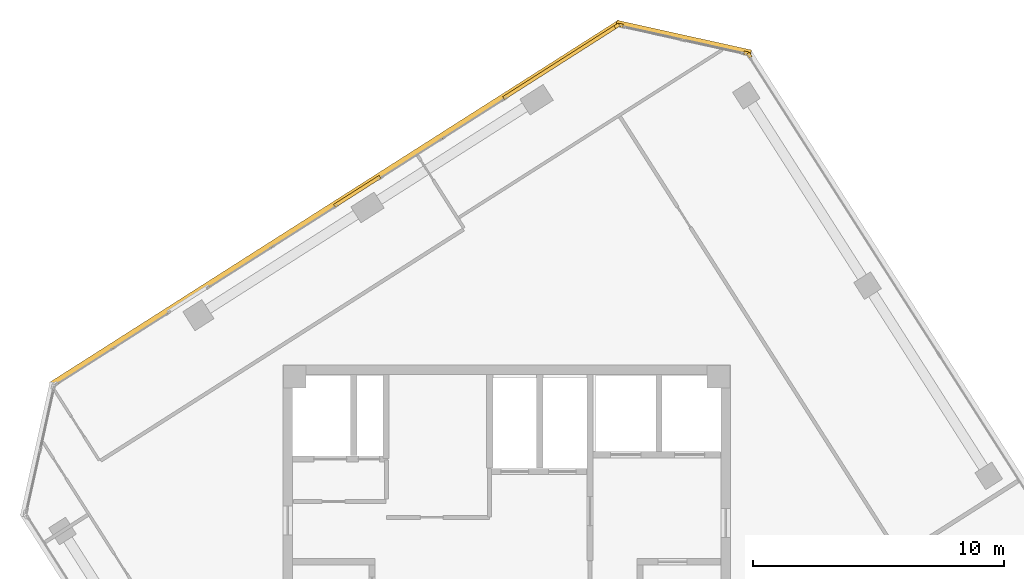
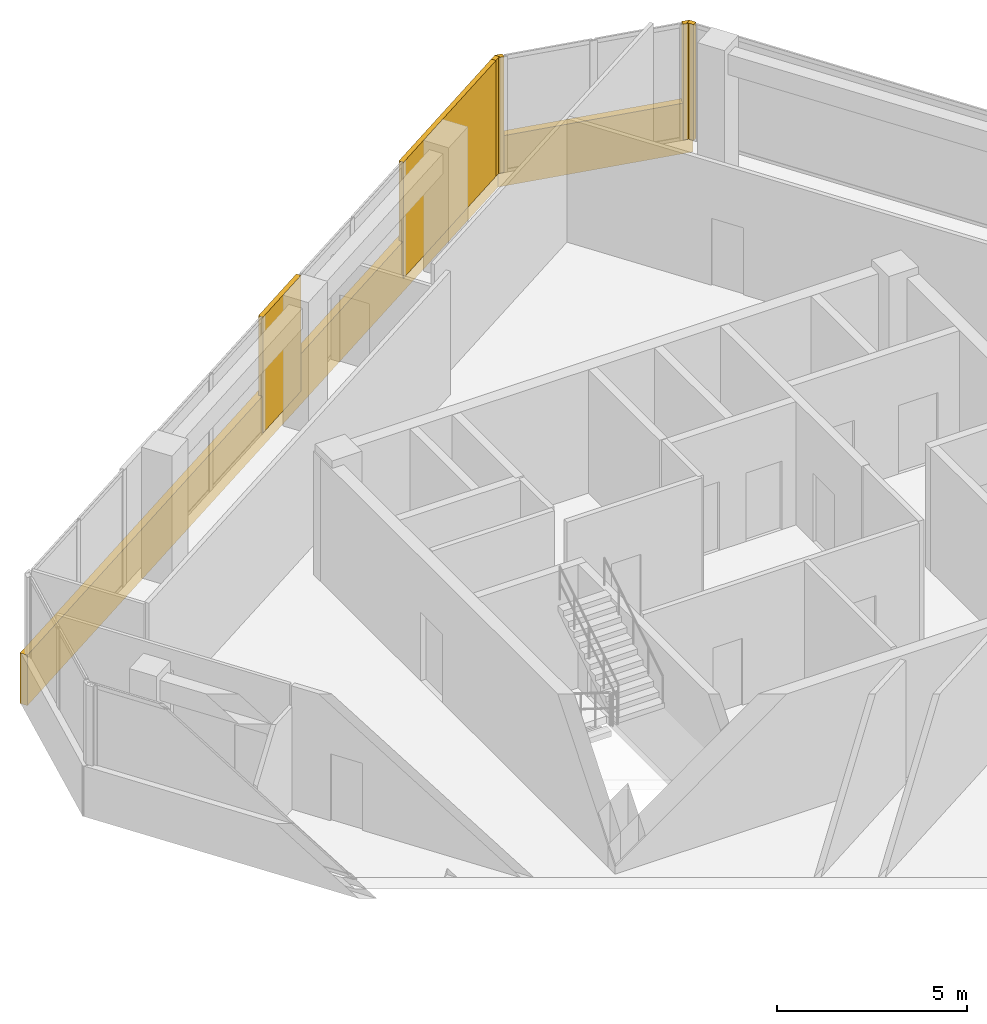
# One storey, part 15 of 15: 8 coverings.
"""IFC4 building model written with IfcOpenShell, lengths in metres."""

import ifcopenshell
import ifcopenshell.guid

model = None  # the IFC model being written
_history = None  # IfcOwnerHistory: only IFC2X3 demands one
_inside = {}  # id of a spatial element -> (the spatial element, [elements in it])
_under = {}  # id of a project, library or spatial element -> (it, [spatial elements below it])
_declared = {}  # id of a project -> (the project, [libraries it declares])
_typed = {}  # id of a type object -> (the type object, [elements of that type])
_made_of = {}  # id of a material, layer set ... -> (it, [elements and type objects made of it])


def new_model(schema):
    """Start an empty IFC model of exactly this schema.

    Asked for "IFC4X3", IfcOpenShell would pick the latest addendum, in which some entities
    have other attributes; the version numbers below select the first issue.
    IFC2X3 requires an IfcOwnerHistory on every rooted entity: one is made here for all.
    """
    global model, _history
    if schema == "IFC4X3":
        model = ifcopenshell.file(schema_version=(4, 3, 0, 0))
    else:
        model = ifcopenshell.file(schema=schema)
    _inside.clear()
    _under.clear()
    _declared.clear()
    _typed.clear()
    _made_of.clear()
    _history = None
    if model.schema == "IFC2X3":
        org = make("IfcOrganization", Name="unknown")
        user = make(
            "IfcPersonAndOrganization",
            ThePerson=make("IfcPerson", FamilyName="unknown"),
            TheOrganization=org,
        )
        app = make(
            "IfcApplication",
            ApplicationDeveloper=org,
            Version="unknown",
            ApplicationFullName="unknown",
            ApplicationIdentifier="unknown",
        )
        _history = make(
            "IfcOwnerHistory",
            OwningUser=user,
            OwningApplication=app,
            ChangeAction="ADDED",
            CreationDate=0,
        )
    return model


def make(cls, **values):
    """One entity of the class cls with the attributes given. An attribute that is None is left unset."""
    return model.create_entity(
        cls, **{name: value for name, value in values.items() if value is not None}
    )


def rooted(cls, **values):
    """An entity with a GlobalId (a new one), such as an element, a storey or a relation."""
    return make(cls, GlobalId=ifcopenshell.guid.new(), OwnerHistory=_history, **values)


def si_unit(unit_type, name, prefix=None):
    """IfcSIUnit, for example si_unit("LENGTHUNIT", "METRE", prefix="MILLI")."""
    return make("IfcSIUnit", UnitType=unit_type, Prefix=prefix, Name=name)


def assignment(units):
    """IfcUnitAssignment: the units of a project."""
    return None if units is None else make("IfcUnitAssignment", Units=units)


def point(xyz):
    """IfcCartesianPoint."""
    return None if xyz is None else make("IfcCartesianPoint", Coordinates=xyz)


def direction(xyz):
    """IfcDirection."""
    return None if xyz is None else make("IfcDirection", DirectionRatios=xyz)


def frame(location, z_axis=None, x_axis=None):
    """IfcAxis2Placement3D, a coordinate frame: its origin and axes. An axis left out is left unset."""
    return make(
        "IfcAxis2Placement3D",
        Location=point(location),
        Axis=direction(z_axis),
        RefDirection=direction(x_axis),
    )


def frame_2d(location, x_axis=None):
    """IfcAxis2Placement2D, a coordinate frame in the plane: its origin and x axis."""
    return make(
        "IfcAxis2Placement2D", Location=point(location), RefDirection=direction(x_axis)
    )


def origin():
    """The frame at (0, 0, 0) with its axes left unset."""
    return frame((0.0, 0.0, 0.0))


def origin_2d():
    """The frame at (0, 0) in the plane with its x axis left unset."""
    return frame_2d((0.0, 0.0))


def place(relative_to, where):
    """IfcLocalPlacement: puts the frame where relative to a parent placement (None: the world)."""
    return make(
        "IfcLocalPlacement", PlacementRelTo=relative_to, RelativePlacement=where
    )


def context(
    kind, dimensions, precision=None, world=None, true_north=None, identifier=None
):
    """IfcGeometricRepresentationContext, for example the 3D "Model" context."""
    return make(
        "IfcGeometricRepresentationContext",
        ContextIdentifier=identifier,
        ContextType=kind,
        CoordinateSpaceDimension=dimensions,
        Precision=precision,
        WorldCoordinateSystem=world,
        TrueNorth=true_north,
    )


def subcontext(parent, identifier, kind, view, scale=None):
    """IfcGeometricRepresentationSubContext, for example "Body" below "Model"."""
    return make(
        "IfcGeometricRepresentationSubContext",
        ContextIdentifier=identifier,
        ContextType=kind,
        ParentContext=parent,
        TargetScale=scale,
        TargetView=view,
    )


def project(units=None, contexts=None):
    """IfcProject with its units and contexts."""
    return rooted(
        "IfcProject",
        Name="project",
        RepresentationContexts=contexts,
        UnitsInContext=assignment(units),
    )


def spatial(cls, under=None, at=None, **own):
    """A site, building, storey or space (cls), placed at a placement, below another one or the project."""
    s = rooted(cls, ObjectPlacement=at, **own)
    if under is not None:
        _under.setdefault(under.id(), (under, []))[1].append(s)
    return s


def profile(cls, at=None, kind="AREA", **sizes):
    """A parametric profile (cls). Its sizes go by their IFC names, for example OverallWidth=200.0."""
    return make(cls, ProfileType=kind, Position=at, **sizes)


def rectangle(**sizes):
    """IfcRectangleProfileDef."""
    return profile("IfcRectangleProfileDef", **sizes)


def extrude(swept, where, along, depth):
    """IfcExtrudedAreaSolid: the profile swept, set in the frame where, extruded along a direction by depth."""
    return make(
        "IfcExtrudedAreaSolid",
        SweptArea=swept,
        Position=where,
        ExtrudedDirection=direction(along),
        Depth=depth,
    )


def shape(context_of_items, identifier, shape_type, items):
    """IfcShapeRepresentation: the items that make up one representation, for example the "Body"."""
    return make(
        "IfcShapeRepresentation",
        ContextOfItems=context_of_items,
        RepresentationIdentifier=identifier,
        RepresentationType=shape_type,
        Items=items,
    )


def source(mapping_origin, context_of_items, identifier, shape_type, items):
    """IfcRepresentationMap: a shape defined once, which mapped items show again and again."""
    return make(
        "IfcRepresentationMap",
        MappingOrigin=mapping_origin,
        MappedRepresentation=shape(context_of_items, identifier, shape_type, items),
    )


def transform(
    local_origin,
    x_axis=None,
    y_axis=None,
    z_axis=None,
    scale=None,
    scale2=None,
    scale3=None,
    uniform=True,
):
    """IfcCartesianTransformationOperator3D, or its non-uniform kind. x_axis, y_axis, z_axis: its Axis1, 2, 3."""
    if uniform:
        return make(
            "IfcCartesianTransformationOperator3D",
            Axis1=direction(x_axis),
            Axis2=direction(y_axis),
            LocalOrigin=point(local_origin),
            Scale=scale,
            Axis3=direction(z_axis),
        )
    return make(
        "IfcCartesianTransformationOperator3DnonUniform",
        Axis1=direction(x_axis),
        Axis2=direction(y_axis),
        LocalOrigin=point(local_origin),
        Scale=scale,
        Axis3=direction(z_axis),
        Scale2=scale2,
        Scale3=scale3,
    )


def mapped(mapping_source, mapping_target):
    """IfcMappedItem: shows the shape of a source again, moved by a transform."""
    return make(
        "IfcMappedItem", MappingSource=mapping_source, MappingTarget=mapping_target
    )


def material(Name=None, Category=None):
    """IfcMaterial."""
    return make("IfcMaterial", Name=Name, Category=Category)


def layer(
    of_material, thickness, ventilated=None, Name=None, Category=None, Priority=None
):
    """IfcMaterialLayer: one layer of a wall or slab, of a material (None: an air gap)."""
    return make(
        "IfcMaterialLayer",
        Material=of_material,
        LayerThickness=thickness,
        IsVentilated=ventilated,
        Name=Name,
        Category=Category,
        Priority=Priority,
    )


def layer_set(layers, Name=None):
    """IfcMaterialLayerSet."""
    return make("IfcMaterialLayerSet", MaterialLayers=layers, LayerSetName=Name)


def made_of(thing, what):
    """Note that an element or type object is made of a material, layer set ...; save() writes the relation."""
    if what is not None:
        _made_of.setdefault(what.id(), (what, []))[1].append(thing)
    return thing


def type_object(cls, material=None, **own):
    """A type object (cls), such as IfcWallType, which elements share."""
    return made_of(rooted(cls, **own), material)


def element(
    cls,
    number,
    at=None,
    inside=None,
    cuts=None,
    type_object=None,
    material=None,
    context=None,
    identifier="Body",
    shape_type=None,
    held_by="IfcProductDefinitionShape",
    body=None,
    shapes=None,
    **own,
):
    """One element of the class cls, such as IfcWall. Its Tag is "e" and its number.

    at: its placement. inside: the storey or other place that contains it. cuts: it is an
    opening in that element (IfcRelVoidsElement). A single representation is given by context,
    identifier, shape_type and body (its items); several are given by shapes. held_by: the class
    of the entity that holds the representations. save() writes the other relations.
    """
    e = rooted(cls, Tag="e%d" % number, ObjectPlacement=at, **own)
    if body is not None:
        shapes = [shape(context, identifier, shape_type, body)]
    if shapes is not None:
        e.Representation = make(held_by, Representations=shapes)
    if inside is not None:
        _inside.setdefault(inside.id(), (inside, []))[1].append(e)
    if cuts is not None:
        rooted(
            "IfcRelVoidsElement", RelatingBuildingElement=cuts, RelatedOpeningElement=e
        )
    if type_object is not None:
        _typed.setdefault(type_object.id(), (type_object, []))[1].append(e)
    return made_of(e, material)


def aggregate(whole, parts):
    """IfcRelAggregates: a whole, such as a stair, and the parts it consists of."""
    return rooted("IfcRelAggregates", RelatingObject=whole, RelatedObjects=parts)


def save(model, path):
    """Write the relations noted so far, then the file.

    IfcRelAggregates (storeys below a building ...), IfcRelContainedInSpatialStructure (elements
    in a storey), IfcRelDefinesByType, IfcRelAssociatesMaterial and IfcRelDeclares: one each for
    every whole, place, type object, material and project.
    """
    for whole, parts in _under.values():
        aggregate(whole, parts)
    for where, things in _inside.values():
        rooted(
            "IfcRelContainedInSpatialStructure",
            RelatedElements=things,
            RelatingStructure=where,
        )
    for kind, things in _typed.values():
        rooted("IfcRelDefinesByType", RelatedObjects=things, RelatingType=kind)
    for what, things in _made_of.values():
        rooted("IfcRelAssociatesMaterial", RelatedObjects=things, RelatingMaterial=what)
    for by, libraries in _declared.values():
        rooted("IfcRelDeclares", RelatingContext=by, RelatedDefinitions=libraries)
    model.write(path)


model = new_model("IFC4")

# Units and contexts
model_context = context("Model", 3, precision=1e-05, world=origin(), true_north=direction((0.0, 1.0)))
body_context = subcontext(model_context, "Body", "Model", "MODEL_VIEW")
ifc_project = project(units=[si_unit("LENGTHUNIT", "METRE"), si_unit("AREAUNIT", "SQUARE_METRE"), si_unit("VOLUMEUNIT", "CUBIC_METRE"), si_unit("PLANEANGLEUNIT", "RADIAN"), si_unit("MASSUNIT", "GRAM", prefix="KILO")], contexts=[model_context])

# Site, building, storey
site_placement = place(None, origin())
site = spatial("IfcSite", under=ifc_project, at=site_placement, CompositionType="ELEMENT")
building_placement = place(site_placement, origin())
building = spatial("IfcBuilding", under=site, at=building_placement, Name="Torre Montelarca", CompositionType="ELEMENT")
storey_placement = place(building_placement, frame((0.0, 0.0, 311.39990234375)))
storey = spatial("IfcBuildingStorey", under=building, at=storey_placement, Name="L70", CompositionType="ELEMENT", Elevation=311.39990234375)

# Coverings
ifc_material = material(Name="Bush-hammered warm white precast concrete C45/55", Category="concrete")
ifc_layer = layer(ifc_material, 0.139892578125, Name="Bush-hammered warm white precast concrete C45/55", Category="concrete")
ifc_layer_set = layer_set([ifc_layer], Name="Bush-hammered warm white precast concrete C45/55")
covering_type = type_object("IfcCoveringType", Name="COV-TRAY-CLAD", PredefinedType="CLADDING", material=ifc_layer_set)
shared_shape_1 = source(origin(), body_context, "Body", "SweptSolid", [
    extrude(rectangle(XDim=0.199951171875, YDim=0.139892578125, at=origin_2d()), origin(), (0.0, 0.0, 1.0), 3.719970703125),
])
for number, where, z_axis, x_axis, name in (
    (1, (27.680908203125, 52.28125, 0.0), (0.0, 0.0, 1.0), (-0.537299608347, 0.843391445813, 0.0), "L70 Architectural Column Pier Cladding E08-2"),
    (2, (27.56201171875, 52.364501953125, 0.0), (0.0, 0.0, 1.0), (-0.976298273617, 0.216429390178, 0.0), "L70 Architectural Column Pier Cladding E09-1"),
    (3, (22.54150390625, 53.4775390625, 0.0), (0.0, 0.0, 1.0), (-0.976298273617, 0.216429390178, 0.0), "L70 Architectural Column Pier Cladding E09-2"),
    (4, (22.3984375, 53.452392578125, 0.0), (0.0, 0.0, 1.0), (-0.843390508047, -0.537301080342, 0.0), "L70 Architectural Column Pier Cladding E10-1"),
):
    element("IfcCovering", number, at=place(storey_placement, frame(where, z_axis=z_axis, x_axis=x_axis)), inside=storey, type_object=covering_type, Name=name, PredefinedType="CLADDING", context=body_context, shape_type="MappedRepresentation", body=[
        mapped(shared_shape_1, transform((0.0, 0.0, 0.0), scale=1.0)),
    ])
shared_shape_2 = source(origin(), body_context, "Body", "SweptSolid", [
    extrude(rectangle(XDim=2.159912109375, YDim=0.139892578125, at=origin_2d()), origin(), (0.0, 0.0, 1.0), 3.719970703125),
])
covering_1_placement = place(storey_placement, frame((12.0380859375, 46.85205078125, 0.0), z_axis=(0.0, 0.0, 1.0), x_axis=(-0.843390508047, -0.537301080342, 0.0)))
element("IfcCovering", 5, at=covering_1_placement, inside=storey, type_object=covering_type, Name="L70 Architectural Column Pier Cladding E10-3", PredefinedType="CLADDING", context=body_context, shape_type="MappedRepresentation", body=[
    mapped(shared_shape_2, transform((0.0, 0.0, 0.0), scale=1.0)),
])
shared_shape_3 = source(origin(), body_context, "Body", "SweptSolid", [
    extrude(rectangle(XDim=5.493896484375, YDim=0.219970703125, at=origin_2d()), origin(), (0.0, 0.0, 1.0), 1.6201171875),
])
covering_2_placement = place(storey_placement, frame((25.064697265625, 52.979736328125, -0.449951171875), z_axis=(0.0, 0.0, 1.0), x_axis=(-0.97629751813, 0.216432798101, 0.0)))
element("IfcCovering", 6, at=covering_2_placement, inside=storey, type_object=covering_type, Name="L70 Architectural White Spandrel Tray Band TRYBOT-09", PredefinedType="CLADDING", context=body_context, shape_type="MappedRepresentation", body=[
    mapped(shared_shape_3, transform((0.0, 0.0, 0.0), scale=1.0)),
])
shared_shape_4 = source(origin(), body_context, "Body", "SweptSolid", [
    extrude(rectangle(XDim=26.919921875, YDim=0.219970703125, at=origin_2d()), origin(), (0.0, 0.0, 1.0), 1.6201171875),
])
covering_3_placement = place(storey_placement, frame((11.16259765625, 46.365478515625, -0.449951171875), z_axis=(0.0, 0.0, 1.0), x_axis=(-0.843392383576, -0.53729813635, 0.0)))
element("IfcCovering", 7, at=covering_3_placement, inside=storey, type_object=covering_type, Name="L70 Architectural White Spandrel Tray Band TRYBOT-10", PredefinedType="CLADDING", context=body_context, shape_type="MappedRepresentation", body=[
    mapped(shared_shape_4, transform((0.0, 0.0, 0.0), scale=1.0)),
])
shared_shape_5 = source(origin(), body_context, "Body", "SweptSolid", [
    extrude(rectangle(XDim=5.3642578125, YDim=0.139892578125, at=origin_2d()), origin(), (0.0, 0.0, 1.0), 3.719970703125),
])
covering_4_placement = place(storey_placement, frame((20.136474609375, 52.01123046875, 0.0), z_axis=(0.0, 0.0, 1.0), x_axis=(-0.843390508047, -0.537301080342, 0.0)))
element("IfcCovering", 8, at=covering_4_placement, inside=storey, type_object=covering_type, Name="L70 Architectural Column Pier Cladding E10-2", PredefinedType="CLADDING", context=body_context, shape_type="MappedRepresentation", body=[
    mapped(shared_shape_5, transform((0.0, 0.0, 0.0), scale=1.0)),
])

save(model, "model.ifc")
